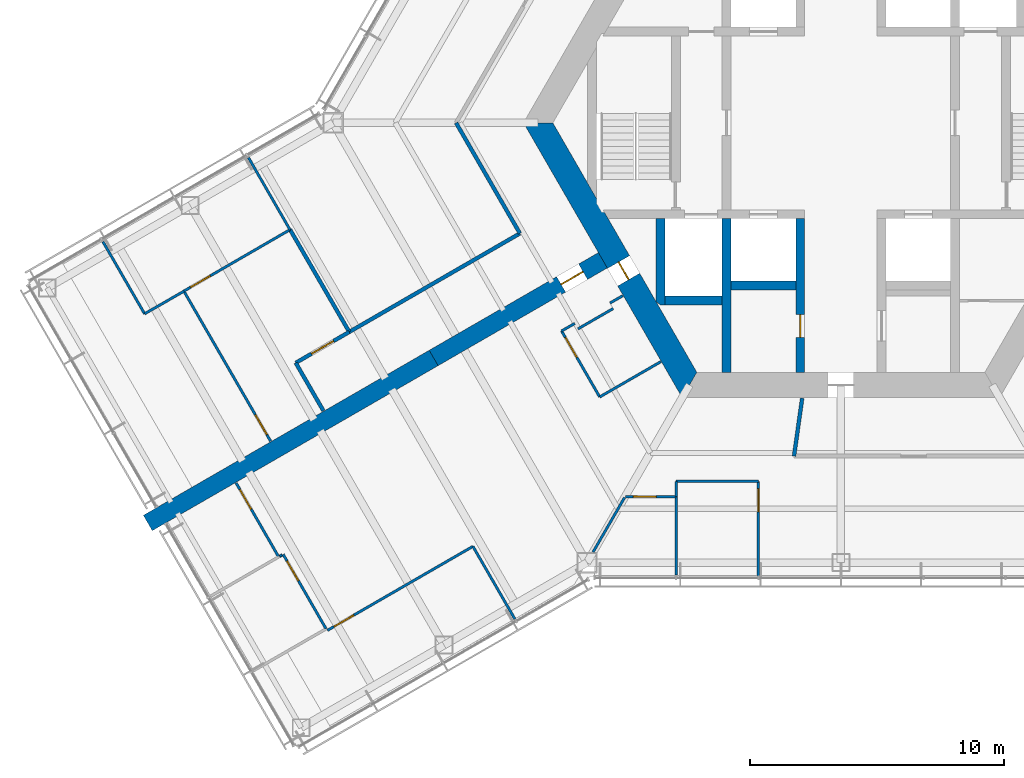
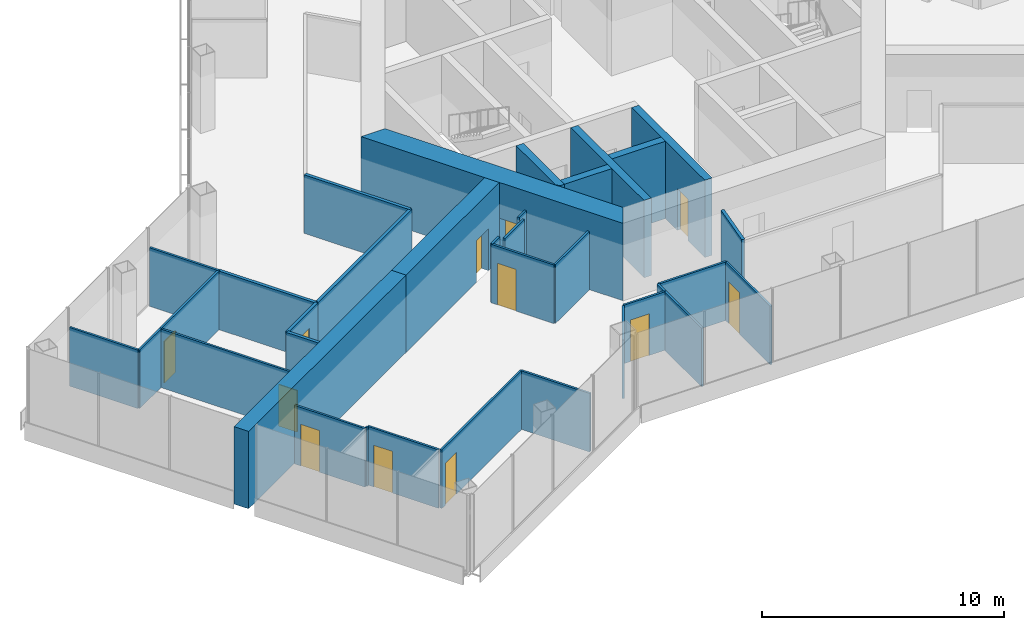
# One storey, part 12 of 18: 35 walls, 12 doors, 12 openings.
"""IFC4 building model written with IfcOpenShell, lengths in metres."""

from ifc_helpers import new_model, si_unit, direction, frame, frame_2d, origin, place, context, subcontext, project, spatial, polyline, rectangle, outline, extrude, material, layer, layer_set, type_object, element, fill, save


model = new_model("IFC4")

# Units and contexts
model_context = context("Model", 3, precision=1e-05, world=origin(), true_north=direction((0.0, 1.0)))
body_context = subcontext(model_context, "Body", "Model", "MODEL_VIEW")
ifc_project = project(units=[si_unit("LENGTHUNIT", "METRE"), si_unit("AREAUNIT", "SQUARE_METRE"), si_unit("VOLUMEUNIT", "CUBIC_METRE"), si_unit("PLANEANGLEUNIT", "RADIAN"), si_unit("MASSUNIT", "GRAM", prefix="KILO")], contexts=[model_context])

# Site, building, storey
site_placement = place(None, origin())
site = spatial("IfcSite", under=ifc_project, at=site_placement, CompositionType="ELEMENT")
building_placement = place(site_placement, origin())
building = spatial("IfcBuilding", under=site, at=building_placement, Name="Kasaneha Research Tower", CompositionType="ELEMENT")
storey_placement = place(building_placement, frame((0.0, 0.0, 191.60009765625)))
storey = spatial("IfcBuildingStorey", under=building, at=storey_placement, Name="L48", CompositionType="ELEMENT", Elevation=191.60009765625)

# Wall, opening, door
ifc_material_1 = material(Name="Concrete Fc70", Category="concrete")
ifc_layer_1 = layer(ifc_material_1, 0.35009765625)
ifc_layer_set_1 = layer_set([ifc_layer_1], Name="Core internal wall 350 Fc70")
wall_type_1 = type_object("IfcWallType", Name="Core internal wall 350 Fc70", PredefinedType="SHEAR", material=ifc_layer_set_1)
wall_1_placement = place(storey_placement, frame((-1.60009765625, -3.77490234375, 0.0), z_axis=(0.0, 0.0, 1.0), x_axis=(0.0, -1.0, 0.0)))
wall_1 = element("IfcWall", 1, at=wall_1_placement, inside=storey, type_object=wall_type_1, Name="Core wall CSW L48", PredefinedType="SHEAR", context=body_context, shape_type="SweptSolid", body=[
    extrude(rectangle(XDim=6.050048828125, YDim=0.35009765625, at=frame_2d((3.02490234375, 0.0))), origin(), (0.0, 0.0, 1.0), 3.89990234375),
])
opening_1_placement = place(wall_1_placement, frame((3.77490234375, 0.0, 0.0)))
opening_1 = element("IfcOpeningElement", 2, at=opening_1_placement, cuts=wall_1, Name="Opening L48-D16", PredefinedType="OPENING", context=body_context, shape_type="SweptSolid", body=[
    extrude(rectangle(XDim=0.89990234375, YDim=2.10009765625, at=frame_2d((0.449951171875, 1.050048828125))), frame((0.0, 0.18505859375, 0.0), z_axis=(0.0, -1.0, 0.0), x_axis=(1.0, 0.0, 0.0)), (0.0, 0.0, 1.0), 0.3701171875),
])
ifc_material_2 = material(Name="Steel", Category="steel")
door_type_1 = type_object("IfcDoorType", Name="Riser access door FD60 900x2100", OperationType="NOTDEFINED", PredefinedType="DOOR", material=ifc_material_2)
door_1_placement = place(opening_1_placement, origin())
door_1 = element("IfcDoor", 3, at=door_1_placement, inside=storey, type_object=door_type_1, Name="Electrical riser door L48-D16", OperationType="SINGLE_SWING_LEFT", OverallHeight=2.10009765625, OverallWidth=0.89990234375, PredefinedType="DOOR", context=body_context, shape_type="SweptSolid", body=[
    extrude(rectangle(XDim=0.89990234375, YDim=2.10009765625, at=frame_2d((0.449951171875, 1.050048828125))), frame((0.0, 0.02490234375, 0.0), z_axis=(0.0, -1.0, 0.0), x_axis=(1.0, 0.0, 0.0)), (0.0, 0.0, 1.0), 0.050048828125),
])
fill(opening_1, door_1)

# Walls
wall_2_placement = place(storey_placement, frame((-4.5, -3.77490234375, 0.0), z_axis=(0.0, 0.0, 1.0), x_axis=(0.0, -1.0, 0.0)))
element("IfcWall", 4, at=wall_2_placement, inside=storey, type_object=wall_type_1, Name="Core wall SSW L48", PredefinedType="SHEAR", context=body_context, shape_type="SweptSolid", body=[
    extrude(rectangle(XDim=6.050048828125, YDim=0.35009765625, at=frame_2d((3.02490234375, 0.0))), origin(), (0.0, 0.0, 1.0), 3.89990234375),
])
wall_3_placement = place(storey_placement, frame((-4.324951171875, -6.39990234375, 0.0), z_axis=(0.0, 0.0, 1.0), x_axis=(1.0, 0.0, 0.0)))
element("IfcWall", 5, at=wall_3_placement, inside=storey, type_object=wall_type_1, Name="Core wall S1S L48", PredefinedType="SHEAR", context=body_context, shape_type="SweptSolid", body=[
    extrude(rectangle(XDim=2.550048828125, YDim=0.35009765625, at=frame_2d((1.27490234375, 0.0))), origin(), (0.0, 0.0, 1.0), 3.89990234375),
])
wall_4_placement = place(storey_placement, frame((-6.925048828125, -7.0, 0.0), z_axis=(0.0, 0.0, 1.0), x_axis=(1.0, 0.0, 0.0)))
element("IfcWall", 6, at=wall_4_placement, inside=storey, type_object=wall_type_1, Name="Core wall F2S L48", PredefinedType="SHEAR", context=body_context, shape_type="SweptSolid", body=[
    extrude(rectangle(XDim=2.25, YDim=0.35009765625, at=frame_2d((1.125, 0.0))), origin(), (0.0, 0.0, 1.0), 3.89990234375),
])
wall_5_placement = place(storey_placement, frame((-7.10009765625, -3.77490234375, 0.0), z_axis=(0.0, 0.0, 1.0), x_axis=(0.0, -1.0, 0.0)))
element("IfcWall", 7, at=wall_5_placement, inside=storey, type_object=wall_type_1, Name="Core wall F2W L48", PredefinedType="SHEAR", context=body_context, shape_type="SweptSolid", body=[
    extrude(outline(polyline([(0.0, -0.175048828125), (3.2744140625, -0.175048828125), (3.400146484375, 0.0), (3.400146484375, 0.175048828125), (0.0, 0.175048828125), (0.0, -0.175048828125)])), origin(), (0.0, 0.0, 1.0), 3.89990234375),
])

# Wall, opening, door
ifc_material_3 = material(Name="Concrete Fc70", Category="concrete")
ifc_layer_2 = layer(ifc_material_3, 1.0)
ifc_layer_set_2 = layer_set([ifc_layer_2], Name="Core wall 1000 Fc70")
wall_type_2 = type_object("IfcWallType", Name="Core wall 1000 Fc70", PredefinedType="SHEAR", material=ifc_layer_set_2)
wall_6_placement = place(storey_placement, frame((-11.92236328125, 0.0, 0.0), z_axis=(0.0, 0.0, 1.0), x_axis=(0.500004296715, -0.866022923061, 0.0)))
wall_6 = element("IfcWall", 8, at=wall_6_placement, inside=storey, type_object=wall_type_2, Name="Core wall 210 L48", PredefinedType="SHEAR", context=body_context, shape_type="SweptSolid", body=[
    extrude(outline(polyline([(-0.28857421875, -0.5), (6.3310546875, -0.5), (7.131103515625, -0.5), (12.2109375, -0.5), (11.6337890625, 0.5), (7.131103515625, 0.5), (6.3310546875, 0.5), (0.28857421875, 0.5), (-0.28857421875, -0.5)])), origin(), (0.0, 0.0, 1.0), 3.89990234375),
])
opening_2_placement = place(wall_6_placement, frame((6.3310546875, 0.0, 0.0)))
opening_2 = element("IfcOpeningElement", 9, at=opening_2_placement, cuts=wall_6, Name="Opening L48-D06", PredefinedType="OPENING", context=body_context, shape_type="SweptSolid", body=[
    extrude(rectangle(XDim=0.800048828125, YDim=2.10009765625, at=frame_2d((0.39990234375, 1.050048828125))), frame((0.0, 0.510009765625, 0.0), z_axis=(0.0, -1.0, 0.0), x_axis=(1.0, 0.0, 0.0)), (0.0, 0.0, 1.0), 1.02001953125),
])
ifc_material_4 = material(Name="Steel", Category="steel")
door_type_2 = type_object("IfcDoorType", Name="Riser access door FD60 800x2100", OperationType="NOTDEFINED", PredefinedType="DOOR", material=ifc_material_4)
door_2_placement = place(opening_2_placement, origin())
door_2 = element("IfcDoor", 10, at=door_2_placement, inside=storey, type_object=door_type_2, Name="Duct riser door L48-D06", OperationType="SINGLE_SWING_RIGHT", OverallHeight=2.10009765625, OverallWidth=0.800048828125, PredefinedType="DOOR", context=body_context, shape_type="SweptSolid", body=[
    extrude(rectangle(XDim=0.800048828125, YDim=2.10009765625, at=frame_2d((0.39990234375, 1.050048828125))), frame((0.0, 0.02490234375, 0.0), z_axis=(0.0, -1.0, 0.0), x_axis=(1.0, 0.0, 0.0)), (0.0, 0.0, 1.0), 0.050048828125),
])
fill(opening_2, door_2)

# Walls
ifc_material_5 = material(Name="Gypsum board on steel studs, one layer each side", Category="steel")
ifc_layer_3 = layer(ifc_material_5, 0.10009765625)
ifc_layer_set_3 = layer_set([ifc_layer_3], Name="Office partition 100")
wall_type_3 = type_object("IfcWallType", Name="Office partition 100", PredefinedType="PARTITIONING", material=ifc_layer_set_3)
wall_7_placement = place(storey_placement, frame((-29.065185546875, -4.6796875, 0.0), z_axis=(0.0, 0.0, 1.0), x_axis=(0.500061797536, -0.86598972202, 0.0)))
element("IfcWall", 11, at=wall_7_placement, inside=storey, type_object=wall_type_3, Name="Office partition FBN07 L48", PredefinedType="PARTITIONING", context=body_context, shape_type="SweptSolid", body=[
    extrude(rectangle(XDim=3.27978515625, YDim=0.10009765625, at=frame_2d((1.639892578125, 0.0))), origin(), (0.0, 0.0, 1.0), 2.949951171875),
])
wall_8_placement = place(storey_placement, frame((-27.425048828125, -7.52001953125, 0.0), z_axis=(0.0, 0.0, 1.0), x_axis=(0.867394737581, 0.497620708188, 0.0)))
element("IfcWall", 12, at=wall_8_placement, inside=storey, type_object=wall_type_3, Name="Office partition FBN08 L48", PredefinedType="PARTITIONING", context=body_context, shape_type="SweptSolid", body=[
    extrude(rectangle(XDim=1.791259765625, YDim=0.10009765625, at=frame_2d((0.8955078125, 0.0))), origin(), (0.0, 0.0, 1.0), 2.949951171875),
])

# Wall, opening, door
wall_9_placement = place(storey_placement, frame((-25.8779296875, -6.627197265625, 0.0), z_axis=(0.0, 0.0, 1.0), x_axis=(0.500502111965, -0.865735315162, 0.0)))
wall_9 = element("IfcWall", 13, at=wall_9_placement, inside=storey, type_object=wall_type_3, Name="Office partition FBN09 L48", PredefinedType="PARTITIONING", context=body_context, shape_type="SweptSolid", body=[
    extrude(rectangle(XDim=6.82958984375, YDim=0.10009765625, at=frame_2d((3.414794921875, 0.0))), origin(), (0.0, 0.0, 1.0), 2.949951171875),
])
opening_3_placement = place(wall_9_placement, frame((5.629638671875, 0.0, 0.0)))
opening_3 = element("IfcOpeningElement", 14, at=opening_3_placement, cuts=wall_9, Name="Opening L48-D34", PredefinedType="OPENING", context=body_context, shape_type="SweptSolid", body=[
    extrude(rectangle(XDim=0.89990234375, YDim=2.10009765625, at=frame_2d((0.449951171875, 1.050048828125))), frame((0.0, 0.06005859375, 0.0), z_axis=(0.0, -1.0, 0.0), x_axis=(1.0, 0.0, 0.0)), (0.0, 0.0, 1.0), 0.1201171875),
])
ifc_material_6 = material(Name="Timber veneer", Category="wood")
door_type_3 = type_object("IfcDoorType", Name="Office door 900x2100", OperationType="SINGLE_SWING_LEFT", PredefinedType="DOOR", material=ifc_material_6)
door_3_placement = place(opening_3_placement, origin())
door_3 = element("IfcDoor", 15, at=door_3_placement, inside=storey, type_object=door_type_3, Name="Large meeting room door L48-D34", OperationType="SINGLE_SWING_RIGHT", OverallHeight=2.10009765625, OverallWidth=0.89990234375, PredefinedType="DOOR", context=body_context, shape_type="SweptSolid", body=[
    extrude(rectangle(XDim=0.89990234375, YDim=2.10009765625, at=frame_2d((0.449951171875, 1.050048828125))), frame((0.0, 0.02490234375, 0.0), z_axis=(0.0, -1.0, 0.0), x_axis=(1.0, 0.0, 0.0)), (0.0, 0.0, 1.0), 0.050048828125),
])
fill(opening_3, door_3)

# Wall
wall_10_placement = place(storey_placement, frame((-23.332275390625, -1.36962890625, 0.0), z_axis=(0.0, 0.0, 1.0), x_axis=(0.498789948492, -0.866722901095, 0.0)))
element("IfcWall", 16, at=wall_10_placement, inside=storey, type_object=wall_type_3, Name="Office partition FBN10 L48", PredefinedType="PARTITIONING", context=body_context, shape_type="SweptSolid", body=[
    extrude(rectangle(XDim=3.280029296875, YDim=0.10009765625, at=frame_2d((1.64013671875, 0.0))), origin(), (0.0, 0.0, 1.0), 2.949951171875),
])

# Wall, opening, door
wall_11_placement = place(storey_placement, frame((-21.694580078125, -4.206298828125, 0.0), z_axis=(0.0, 0.0, 1.0), x_axis=(-0.865554211136, -0.500815242963, 0.0)))
wall_11 = element("IfcWall", 17, at=wall_11_placement, inside=storey, type_object=wall_type_3, Name="Office partition FBN11 L48", PredefinedType="PARTITIONING", context=body_context, shape_type="SweptSolid", body=[
    extrude(rectangle(XDim=4.83349609375, YDim=0.10009765625, at=frame_2d((2.416748046875, 0.0))), origin(), (0.0, 0.0, 1.0), 2.949951171875),
])
opening_4_placement = place(wall_11_placement, frame((3.63330078125, 0.0, 0.0)))
opening_4 = element("IfcOpeningElement", 18, at=opening_4_placement, cuts=wall_11, Name="Opening L48-D35", PredefinedType="OPENING", context=body_context, shape_type="SweptSolid", body=[
    extrude(rectangle(XDim=0.89990234375, YDim=2.10009765625, at=frame_2d((0.449951171875, 1.050048828125))), frame((0.0, 0.06005859375, 0.0), z_axis=(0.0, -1.0, 0.0), x_axis=(1.0, 0.0, 0.0)), (0.0, 0.0, 1.0), 0.1201171875),
])
door_4_placement = place(opening_4_placement, origin())
door_4 = element("IfcDoor", 19, at=door_4_placement, inside=storey, type_object=door_type_3, Name="Meeting room door L48-D35", OperationType="SINGLE_SWING_RIGHT", OverallHeight=2.10009765625, OverallWidth=0.89990234375, PredefinedType="DOOR", context=body_context, shape_type="SweptSolid", body=[
    extrude(rectangle(XDim=0.89990234375, YDim=2.10009765625, at=frame_2d((0.449951171875, 1.050048828125))), frame((0.0, 0.02490234375, 0.0), z_axis=(0.0, -1.0, 0.0), x_axis=(1.0, 0.0, 0.0)), (0.0, 0.0, 1.0), 0.050048828125),
])
fill(opening_4, door_4)

# Walls
wall_12_placement = place(storey_placement, frame((-10.99951171875, -8.197998046875, 0.0), z_axis=(0.0, 0.0, 1.0), x_axis=(0.866131372301, 0.499816412211, 0.0)))
element("IfcWall", 20, at=wall_12_placement, inside=storey, type_object=wall_type_3, Name="Office partition FBS01 L48", PredefinedType="PARTITIONING", context=body_context, shape_type="SweptSolid", body=[
    extrude(rectangle(XDim=0.599853515625, YDim=0.10009765625, at=frame_2d((0.2998046875, 0.0))), origin(), (0.0, 0.0, 1.0), 2.949951171875),
])
wall_13_placement = place(storey_placement, frame((-10.35498046875, -8.114501953125, 0.0), z_axis=(0.0, 0.0, 1.0), x_axis=(0.866094119867, 0.499880961361, 0.0)))
element("IfcWall", 21, at=wall_13_placement, inside=storey, type_object=wall_type_3, Name="Office partition FBS02 L48", PredefinedType="PARTITIONING", context=body_context, shape_type="SweptSolid", body=[
    extrude(rectangle(XDim=1.60009765625, YDim=0.10009765625, at=frame_2d((0.800048828125, 0.0))), origin(), (0.0, 0.0, 1.0), 2.949951171875),
])

# Wall, opening, door
wall_14_placement = place(storey_placement, frame((-9.49951171875, -10.796142578125, 0.0), z_axis=(0.0, 0.0, 1.0), x_axis=(-0.499990139034, 0.866031096941, 0.0)))
wall_14 = element("IfcWall", 22, at=wall_14_placement, inside=storey, type_object=wall_type_3, Name="Office partition FBS03 L48", PredefinedType="PARTITIONING", context=body_context, shape_type="SweptSolid", body=[
    extrude(rectangle(XDim=3.0, YDim=0.10009765625, at=frame_2d((1.5, 0.0))), origin(), (0.0, 0.0, 1.0), 2.949951171875),
])
opening_5_placement = place(wall_14_placement, frame((1.800048828125, 0.0, 0.0)))
opening_5 = element("IfcOpeningElement", 23, at=opening_5_placement, cuts=wall_14, Name="Opening L48-D37", PredefinedType="OPENING", context=body_context, shape_type="SweptSolid", body=[
    extrude(rectangle(XDim=0.89990234375, YDim=2.10009765625, at=frame_2d((0.449951171875, 1.050048828125))), frame((0.0, 0.06005859375, 0.0), z_axis=(0.0, -1.0, 0.0), x_axis=(1.0, 0.0, 0.0)), (0.0, 0.0, 1.0), 0.1201171875),
])
door_5_placement = place(opening_5_placement, origin())
door_5 = element("IfcDoor", 24, at=door_5_placement, inside=storey, type_object=door_type_3, Name="Pantry door L48-D37", OperationType="SINGLE_SWING_RIGHT", OverallHeight=2.10009765625, OverallWidth=0.89990234375, PredefinedType="DOOR", context=body_context, shape_type="SweptSolid", body=[
    extrude(rectangle(XDim=0.89990234375, YDim=2.10009765625, at=frame_2d((0.449951171875, 1.050048828125))), frame((0.0, 0.02490234375, 0.0), z_axis=(0.0, -1.0, 0.0), x_axis=(1.0, 0.0, 0.0)), (0.0, 0.0, 1.0), 0.050048828125),
])
fill(opening_5, door_5)

# Walls
wall_15_placement = place(storey_placement, frame((-9.09423828125, -7.09814453125, 0.0), z_axis=(0.0, 0.0, 1.0), x_axis=(0.865954211699, 0.50012328804, 0.0)))
element("IfcWall", 25, at=wall_15_placement, inside=storey, type_object=wall_type_3, Name="Office partition FBS04 L48", PredefinedType="PARTITIONING", context=body_context, shape_type="SweptSolid", body=[
    extrude(rectangle(XDim=0.579833984375, YDim=0.10009765625, at=frame_2d((0.2900390625, 0.0))), origin(), (0.0, 0.0, 1.0), 2.949951171875),
])
wall_16_placement = place(storey_placement, frame((-7.092041015625, -9.40625, 0.0), z_axis=(0.0, 0.0, 1.0), x_axis=(-0.86603494908, -0.499983466698, 0.0)))
element("IfcWall", 26, at=wall_16_placement, inside=storey, type_object=wall_type_3, Name="Office partition FBS05 L48", PredefinedType="PARTITIONING", context=body_context, shape_type="SweptSolid", body=[
    extrude(rectangle(XDim=2.77978515625, YDim=0.10009765625, at=frame_2d((1.389892578125, 0.0))), origin(), (0.0, 0.0, 1.0), 2.949951171875),
])

# Wall, opening, door
wall_17_placement = place(storey_placement, frame((-20.22509765625, -19.99072265625, 0.0), z_axis=(0.0, 0.0, 1.0), x_axis=(0.866030817826, 0.499990622488, 0.0)))
wall_17 = element("IfcWall", 27, at=wall_17_placement, inside=storey, type_object=wall_type_3, Name="Office partition FBS07 L48", PredefinedType="PARTITIONING", context=body_context, shape_type="SweptSolid", body=[
    extrude(rectangle(XDim=6.619873046875, YDim=0.10009765625, at=frame_2d((3.31005859375, 0.0))), origin(), (0.0, 0.0, 1.0), 2.949951171875),
])
opening_6_placement = place(wall_17_placement, frame((0.300048828125, 0.0, 0.0)))
opening_6 = element("IfcOpeningElement", 28, at=opening_6_placement, cuts=wall_17, Name="Opening L48-D38", PredefinedType="OPENING", context=body_context, shape_type="SweptSolid", body=[
    extrude(rectangle(XDim=0.89990234375, YDim=2.10009765625, at=frame_2d((0.449951171875, 1.050048828125))), frame((0.0, 0.06005859375, 0.0), z_axis=(0.0, -1.0, 0.0), x_axis=(1.0, 0.0, 0.0)), (0.0, 0.0, 1.0), 0.1201171875),
])
door_6_placement = place(opening_6_placement, origin())
door_6 = element("IfcDoor", 29, at=door_6_placement, inside=storey, type_object=door_type_3, Name="Interview room door L48-D38", OperationType="SINGLE_SWING_LEFT", OverallHeight=2.10009765625, OverallWidth=0.89990234375, PredefinedType="DOOR", context=body_context, shape_type="SweptSolid", body=[
    extrude(rectangle(XDim=0.89990234375, YDim=2.10009765625, at=frame_2d((0.449951171875, 1.050048828125))), frame((0.0, 0.02490234375, 0.0), z_axis=(0.0, -1.0, 0.0), x_axis=(1.0, 0.0, 0.0)), (0.0, 0.0, 1.0), 0.050048828125),
])
fill(opening_6, door_6)

# Wall
wall_18_placement = place(storey_placement, frame((-14.4921875, -16.680908203125, 0.0), z_axis=(0.0, 0.0, 1.0), x_axis=(0.500008057651, -0.866020751647, 0.0)))
element("IfcWall", 30, at=wall_18_placement, inside=storey, type_object=wall_type_3, Name="Office partition FBS08 L48", PredefinedType="PARTITIONING", context=body_context, shape_type="SweptSolid", body=[
    extrude(rectangle(XDim=3.30517578125, YDim=0.10009765625, at=frame_2d((1.652587890625, 0.0))), origin(), (0.0, 0.0, 1.0), 2.949951171875),
])

# Wall, opening, door
wall_19_placement = place(storey_placement, frame((-21.966796875, -16.993408203125, 0.0), z_axis=(0.0, 0.0, 1.0), x_axis=(0.498972655929, -0.866617729241, 0.0)))
wall_19 = element("IfcWall", 31, at=wall_19_placement, inside=storey, type_object=wall_type_3, Name="Office partition FBS10 L48", PredefinedType="PARTITIONING", context=body_context, shape_type="SweptSolid", body=[
    extrude(rectangle(XDim=3.38330078125, YDim=0.10009765625, at=frame_2d((1.691650390625, 0.0))), origin(), (0.0, 0.0, 1.0), 2.949951171875),
])
opening_7_placement = place(wall_19_placement, frame((0.300048828125, 0.0, 0.0)))
opening_7 = element("IfcOpeningElement", 32, at=opening_7_placement, cuts=wall_19, Name="Opening L48-D39", PredefinedType="OPENING", context=body_context, shape_type="SweptSolid", body=[
    extrude(rectangle(XDim=0.89990234375, YDim=2.10009765625, at=frame_2d((0.449951171875, 1.050048828125))), frame((0.0, 0.06005859375, 0.0), z_axis=(0.0, -1.0, 0.0), x_axis=(1.0, 0.0, 0.0)), (0.0, 0.0, 1.0), 0.1201171875),
])
door_7_placement = place(opening_7_placement, origin())
door_7 = element("IfcDoor", 33, at=door_7_placement, inside=storey, type_object=door_type_3, Name="Manager's office door L48-D39", OperationType="SINGLE_SWING_LEFT", OverallHeight=2.10009765625, OverallWidth=0.89990234375, PredefinedType="DOOR", context=body_context, shape_type="SweptSolid", body=[
    extrude(rectangle(XDim=0.89990234375, YDim=2.10009765625, at=frame_2d((0.449951171875, 1.050048828125))), frame((0.0, 0.02490234375, 0.0), z_axis=(0.0, -1.0, 0.0), x_axis=(1.0, 0.0, 0.0)), (0.0, 0.0, 1.0), 0.050048828125),
])
fill(opening_7, door_7)

wall_20_placement = place(storey_placement, frame((-23.82177734375, -14.1806640625, 0.0), z_axis=(0.0, 0.0, 1.0), x_axis=(0.498880193261, -0.866670959922, 0.0)))
wall_20 = element("IfcWall", 34, at=wall_20_placement, inside=storey, type_object=wall_type_3, Name="Office partition FBS11 L48", PredefinedType="PARTITIONING", context=body_context, shape_type="SweptSolid", body=[
    extrude(rectangle(XDim=3.363525390625, YDim=0.10009765625, at=frame_2d((1.681640625, 0.0))), origin(), (0.0, 0.0, 1.0), 2.949951171875),
])
opening_8_placement = place(wall_20_placement, frame((0.300048828125, 0.0, 0.0)))
opening_8 = element("IfcOpeningElement", 35, at=opening_8_placement, cuts=wall_20, Name="Opening L48-D40", PredefinedType="OPENING", context=body_context, shape_type="SweptSolid", body=[
    extrude(rectangle(XDim=0.89990234375, YDim=2.10009765625, at=frame_2d((0.449951171875, 1.050048828125))), frame((0.0, 0.06005859375, 0.0), z_axis=(0.0, -1.0, 0.0), x_axis=(1.0, 0.0, 0.0)), (0.0, 0.0, 1.0), 0.1201171875),
])
door_8_placement = place(opening_8_placement, origin())
door_8 = element("IfcDoor", 36, at=door_8_placement, inside=storey, type_object=door_type_3, Name="Workroom door L48-D40", OperationType="SINGLE_SWING_LEFT", OverallHeight=2.10009765625, OverallWidth=0.89990234375, PredefinedType="DOOR", context=body_context, shape_type="SweptSolid", body=[
    extrude(rectangle(XDim=0.89990234375, YDim=2.10009765625, at=frame_2d((0.449951171875, 1.050048828125))), frame((0.0, 0.02490234375, 0.0), z_axis=(0.0, -1.0, 0.0), x_axis=(1.0, 0.0, 0.0)), (0.0, 0.0, 1.0), 0.050048828125),
])
fill(opening_8, door_8)

# Walls
wall_21_placement = place(storey_placement, frame((-6.492919921875, -17.800537109375, 0.0), z_axis=(0.0, 0.0, 1.0), x_axis=(0.0, 1.0, 0.0)))
element("IfcWall", 37, at=wall_21_placement, inside=storey, type_object=wall_type_3, Name="Office partition FCS10 L48", PredefinedType="PARTITIONING", context=body_context, shape_type="SweptSolid", body=[
    extrude(rectangle(XDim=3.0849609375, YDim=0.10009765625, at=frame_2d((1.54248046875, 0.0))), origin(), (0.0, 0.0, 1.0), 2.949951171875),
])
wall_22_placement = place(storey_placement, frame((-6.492919921875, -14.72509765625, 0.0), z_axis=(0.0, 0.0, 1.0), x_axis=(0.0, 1.0, 0.0)))
element("IfcWall", 38, at=wall_22_placement, inside=storey, type_object=wall_type_3, Name="Office partition FCS11 L48", PredefinedType="PARTITIONING", context=body_context, shape_type="SweptSolid", body=[
    extrude(rectangle(XDim=0.6044921875, YDim=0.10009765625, at=frame_2d((0.30224609375, 0.0))), origin(), (0.0, 0.0, 1.0), 2.949951171875),
])
wall_23_placement = place(storey_placement, frame((-6.492919921875, -14.12060546875, 0.0), z_axis=(0.0, 0.0, 1.0), x_axis=(1.0, 0.0, 0.0)))
element("IfcWall", 39, at=wall_23_placement, inside=storey, type_object=wall_type_3, Name="Office partition FCS12 L48", PredefinedType="PARTITIONING", context=body_context, shape_type="SweptSolid", body=[
    extrude(rectangle(XDim=3.24658203125, YDim=0.10009765625, at=frame_2d((1.623291015625, 0.0))), origin(), (0.0, 0.0, 1.0), 2.949951171875),
])

# Wall, opening, door
wall_24_placement = place(storey_placement, frame((-3.246337890625, -14.12060546875, 0.0), z_axis=(0.0, 0.0, 1.0), x_axis=(0.0, -1.0, 0.0)))
wall_24 = element("IfcWall", 40, at=wall_24_placement, inside=storey, type_object=wall_type_3, Name="Office partition FCS13 L48", PredefinedType="PARTITIONING", context=body_context, shape_type="SweptSolid", body=[
    extrude(rectangle(XDim=3.72998046875, YDim=0.10009765625, at=frame_2d((1.864990234375, 0.0))), origin(), (0.0, 0.0, 1.0), 2.949951171875),
])
opening_9_placement = place(wall_24_placement, frame((0.300048828125, 0.0, 0.0)))
opening_9 = element("IfcOpeningElement", 41, at=opening_9_placement, cuts=wall_24, Name="Opening L48-D46", PredefinedType="OPENING", context=body_context, shape_type="SweptSolid", body=[
    extrude(rectangle(XDim=0.89990234375, YDim=2.10009765625, at=frame_2d((0.449951171875, 1.050048828125))), frame((0.0, 0.06005859375, 0.0), z_axis=(0.0, -1.0, 0.0), x_axis=(1.0, 0.0, 0.0)), (0.0, 0.0, 1.0), 0.1201171875),
])
door_9_placement = place(opening_9_placement, origin())
door_9 = element("IfcDoor", 42, at=door_9_placement, inside=storey, type_object=door_type_3, Name="Manager's office door L48-D46", OperationType="SINGLE_SWING_LEFT", OverallHeight=2.10009765625, OverallWidth=0.89990234375, PredefinedType="DOOR", context=body_context, shape_type="SweptSolid", body=[
    extrude(rectangle(XDim=0.89990234375, YDim=2.10009765625, at=frame_2d((0.449951171875, 1.050048828125))), frame((0.0, 0.02490234375, 0.0), z_axis=(0.0, -1.0, 0.0), x_axis=(1.0, 0.0, 0.0)), (0.0, 0.0, 1.0), 0.050048828125),
])
fill(opening_9, door_9)

wall_25_placement = place(storey_placement, frame((-8.475830078125, -14.720458984375, 0.0), z_axis=(0.0, 0.0, 1.0), x_axis=(0.99999726379, -0.002339318888, 0.0)))
wall_25 = element("IfcWall", 43, at=wall_25_placement, inside=storey, type_object=wall_type_3, Name="Office partition FCS16 L48", PredefinedType="PARTITIONING", context=body_context, shape_type="SweptSolid", body=[
    extrude(rectangle(XDim=1.98291015625, YDim=0.10009765625, at=frame_2d((0.991455078125, 0.0))), origin(), (0.0, 0.0, 1.0), 2.949951171875),
])
opening_10_placement = place(wall_25_placement, frame((0.300048828125, 0.0, 0.0)))
opening_10 = element("IfcOpeningElement", 44, at=opening_10_placement, cuts=wall_25, Name="Opening L48-D48", PredefinedType="OPENING", context=body_context, shape_type="SweptSolid", body=[
    extrude(rectangle(XDim=0.89990234375, YDim=2.10009765625, at=frame_2d((0.449951171875, 1.050048828125))), frame((0.0, 0.06005859375, 0.0), z_axis=(0.0, -1.0, 0.0), x_axis=(1.0, 0.0, 0.0)), (0.0, 0.0, 1.0), 0.1201171875),
])
door_10_placement = place(opening_10_placement, origin())
door_10 = element("IfcDoor", 45, at=door_10_placement, inside=storey, type_object=door_type_3, Name="Phone room door L48-D48", OperationType="SINGLE_SWING_LEFT", OverallHeight=2.10009765625, OverallWidth=0.89990234375, PredefinedType="DOOR", context=body_context, shape_type="SweptSolid", body=[
    extrude(rectangle(XDim=0.89990234375, YDim=2.10009765625, at=frame_2d((0.449951171875, 1.050048828125))), frame((0.0, 0.02490234375, 0.0), z_axis=(0.0, -1.0, 0.0), x_axis=(1.0, 0.0, 0.0)), (0.0, 0.0, 1.0), 0.050048828125),
])
fill(opening_10, door_10)

# Walls
wall_26_placement = place(storey_placement, frame((-22.01025390625, -17.018310546875, 0.0), z_axis=(0.0, 0.0, 1.0), x_axis=(-0.866224454185, -0.499655075999, 0.0)))
element("IfcWall", 46, at=wall_26_placement, inside=storey, type_object=wall_type_3, Name="Office partition closer PT5 L48", PredefinedType="PARTITIONING", context=body_context, shape_type="SweptSolid", body=[
    extrude(rectangle(XDim=0.1044921875, YDim=0.10009765625, at=frame_2d((0.05224609375, 0.0))), origin(), (0.0, 0.0, 1.0), 2.949951171875),
])
wall_27_placement = place(storey_placement, frame((-9.75927734375, -16.903564453125, 0.0), z_axis=(0.0, 0.0, 1.0), x_axis=(0.500049399443, 0.865996881124, 0.0)))
element("IfcWall", 47, at=wall_27_placement, inside=storey, type_object=wall_type_3, Name="Office partition closer PT5 L48", PredefinedType="PARTITIONING", context=body_context, shape_type="SweptSolid", body=[
    extrude(rectangle(XDim=2.477783203125, YDim=0.10009765625, at=frame_2d((1.23876953125, 0.0))), origin(), (0.0, 0.0, 1.0), 2.949951171875),
])

# Wall, opening, door
ifc_material_7 = material(Name="Concrete Fc70", Category="concrete")
ifc_layer_4 = layer(ifc_material_7, 0.699951171875)
ifc_layer_set_4 = layer_set([ifc_layer_4], Name="Spine wall 700 Fc70")
wall_type_4 = type_object("IfcWallType", Name="Spine wall 700 Fc70", PredefinedType="SHEAR", material=ifc_layer_set_4)
wall_28_placement = place(storey_placement, frame((-9.374755859375, -5.41259765625, 0.0), z_axis=(0.0, 0.0, 1.0), x_axis=(-0.866032377459, -0.499987921047, 0.0)))
wall_28 = element("IfcWall", 48, at=wall_28_placement, inside=storey, type_object=wall_type_4, Name="Spine wall B L48", PredefinedType="SHEAR", context=body_context, shape_type="SweptSolid", body=[
    extrude(rectangle(XDim=7.695556640625, YDim=0.699951171875, at=frame_2d((3.84765625, 0.0))), origin(), (0.0, 0.0, 1.0), 3.89990234375),
])
opening_11_placement = place(wall_28_placement, frame((0.89990234375, 0.0, 0.0)))
opening_11 = element("IfcOpeningElement", 49, at=opening_11_placement, cuts=wall_28, Name="Opening L48-D18", PredefinedType="OPENING", context=body_context, shape_type="SweptSolid", body=[
    extrude(rectangle(XDim=1.0, YDim=2.10009765625, at=frame_2d((0.5, 1.050048828125))), frame((0.0, 0.35986328125, 0.0), z_axis=(0.0, -1.0, 0.0), x_axis=(1.0, 0.0, 0.0)), (0.0, 0.0, 1.0), 0.719970703125),
])
ifc_material_8 = material(Name="Steel", Category="steel")
door_type_4 = type_object("IfcDoorType", Name="Specified fire door FD60 1000x2100", OperationType="NOTDEFINED", PredefinedType="DOOR", material=ifc_material_8)
door_11_placement = place(opening_11_placement, origin())
door_11 = element("IfcDoor", 50, at=door_11_placement, inside=storey, type_object=door_type_4, Name="Spine doorway B L48-D18", OperationType="SINGLE_SWING_LEFT", OverallHeight=2.10009765625, OverallWidth=1.0, PredefinedType="DOOR", context=body_context, shape_type="SweptSolid", body=[
    extrude(rectangle(XDim=1.0, YDim=2.10009765625, at=frame_2d((0.5, 1.050048828125))), frame((0.0, 0.02490234375, 0.0), z_axis=(0.0, -1.0, 0.0), x_axis=(1.0, 0.0, 0.0)), (0.0, 0.0, 1.0), 0.050048828125),
])
fill(opening_11, door_11)

# Walls
wall_29_placement = place(storey_placement, frame((-16.039306640625, -9.26025390625, 0.0), z_axis=(0.0, 0.0, 1.0), x_axis=(-0.866024837091, -0.50000098154, 0.0)))
element("IfcWall", 51, at=wall_29_placement, inside=storey, type_object=wall_type_4, Name="Spine wall B wing L48", PredefinedType="SHEAR", context=body_context, shape_type="SweptSolid", body=[
    extrude(rectangle(XDim=13.0, YDim=0.699951171875, at=frame_2d((6.5, 0.0))), origin(), (0.0, 0.0, 1.0), 3.89990234375),
])
ifc_material_9 = material(Name="Gypsum board on steel studs, two layers each side", Category="steel")
ifc_layer_5 = layer(ifc_material_9, 0.14990234375)
ifc_layer_set_5 = layer_set([ifc_layer_5], Name="Suite partition 150")
wall_type_5 = type_object("IfcWallType", Name="Suite partition 150", PredefinedType="PARTITIONING", material=ifc_layer_set_5)
wall_30_placement = place(storey_placement, frame((-19.37158203125, -8.23974609375, 0.0), z_axis=(0.0, 0.0, 1.0), x_axis=(0.866015031168, 0.500017965468, 0.0)))
element("IfcWall", 52, at=wall_30_placement, inside=storey, type_object=wall_type_5, Name="Suite partition FBN01 L48", PredefinedType="PARTITIONING", context=body_context, shape_type="SweptSolid", body=[
    extrude(rectangle(XDim=7.771240234375, YDim=0.14990234375, at=frame_2d((3.8857421875, 0.0))), origin(), (0.0, 0.0, 1.0), 2.949951171875),
])
wall_31_placement = place(storey_placement, frame((-12.6416015625, -4.35400390625, 0.0), z_axis=(0.0, 0.0, 1.0), x_axis=(-0.500019495363, 0.866014147839, 0.0)))
element("IfcWall", 53, at=wall_31_placement, inside=storey, type_object=wall_type_5, Name="Suite partition FBN03 L48", PredefinedType="PARTITIONING", context=body_context, shape_type="SweptSolid", body=[
    extrude(rectangle(XDim=5.027587890625, YDim=0.14990234375, at=frame_2d((2.513671875, 0.0))), origin(), (0.0, 0.0, 1.0), 2.949951171875),
])

# Wall, opening, door
wall_32_placement = place(storey_placement, frame((-21.47119140625, -9.451904296875, 0.0), z_axis=(0.0, 0.0, 1.0), x_axis=(0.866025270247, 0.500000231294, 0.0)))
wall_32 = element("IfcWall", 54, at=wall_32_placement, inside=storey, type_object=wall_type_5, Name="Suite partition FBN05 L48", PredefinedType="PARTITIONING", context=body_context, shape_type="SweptSolid", body=[
    extrude(rectangle(XDim=2.4345703125, YDim=0.14990234375, at=frame_2d((1.21728515625, 0.0))), origin(), (0.0, 0.0, 1.0), 2.949951171875),
])
opening_12_placement = place(wall_32_placement, frame((0.71728515625, 0.0, 0.0)))
opening_12 = element("IfcOpeningElement", 55, at=opening_12_placement, cuts=wall_32, Name="Opening L48-D33", PredefinedType="OPENING", context=body_context, shape_type="SweptSolid", body=[
    extrude(rectangle(XDim=1.0, YDim=2.10009765625, at=frame_2d((0.5, 1.050048828125))), frame((0.0, 0.0849609375, 0.0), z_axis=(0.0, -1.0, 0.0), x_axis=(1.0, 0.0, 0.0)), (0.0, 0.0, 1.0), 0.169921875),
])
ifc_material_10 = material(Name="Steel", Category="steel")
door_type_5 = type_object("IfcDoorType", Name="Suite entrance door FD60 1000x2100", OperationType="NOTDEFINED", PredefinedType="DOOR", material=ifc_material_10)
door_12_placement = place(opening_12_placement, origin())
door_12 = element("IfcDoor", 56, at=door_12_placement, inside=storey, type_object=door_type_5, Name="Suite entrance door L48-D33", OperationType="SINGLE_SWING_RIGHT", OverallHeight=2.10009765625, OverallWidth=1.0, PredefinedType="DOOR", context=body_context, shape_type="SweptSolid", body=[
    extrude(rectangle(XDim=1.0, YDim=2.10009765625, at=frame_2d((0.5, 1.050048828125))), frame((0.0, 0.02490234375, 0.0), z_axis=(0.0, -1.0, 0.0), x_axis=(1.0, 0.0, 0.0)), (0.0, 0.0, 1.0), 0.050048828125),
])
fill(opening_12, door_12)

# Walls
wall_33_placement = place(storey_placement, frame((-20.381103515625, -11.33984375, 0.0), z_axis=(0.0, 0.0, 1.0), x_axis=(-0.500029427677, 0.866008413041, 0.0)))
element("IfcWall", 57, at=wall_33_placement, inside=storey, type_object=wall_type_5, Name="Suite partition FBN06 L48", PredefinedType="PARTITIONING", context=body_context, shape_type="SweptSolid", body=[
    extrude(rectangle(XDim=2.179931640625, YDim=0.14990234375, at=frame_2d((1.08984375, 0.0))), origin(), (0.0, 0.0, 1.0), 2.949951171875),
])
wall_34_placement = place(storey_placement, frame((-19.363037109375, -8.234130859375, 0.0), z_axis=(0.0, 0.0, 1.0), x_axis=(-0.500877035324, 0.865518454734, 0.0)))
element("IfcWall", 58, at=wall_34_placement, inside=storey, type_object=wall_type_5, Name="Suite partition FBN15 L48", PredefinedType="PARTITIONING", context=body_context, shape_type="SweptSolid", body=[
    extrude(rectangle(XDim=4.654052734375, YDim=0.14990234375, at=frame_2d((2.3271484375, 0.0))), origin(), (0.0, 0.0, 1.0), 2.949951171875),
])
wall_35_placement = place(storey_placement, frame((-1.844482421875, -13.125, 0.0), z_axis=(0.0, 0.0, 1.0), x_axis=(0.139119980631, 0.990275532864, 0.0)))
element("IfcWall", 59, at=wall_35_placement, inside=storey, type_object=wall_type_5, Name="Suite partition FCS01 L48", PredefinedType="PARTITIONING", context=body_context, shape_type="SweptSolid", body=[
    extrude(rectangle(XDim=2.302490234375, YDim=0.14990234375, at=frame_2d((1.1513671875, 0.0))), origin(), (0.0, 0.0, 1.0), 2.949951171875),
])

save(model, "model.ifc")
